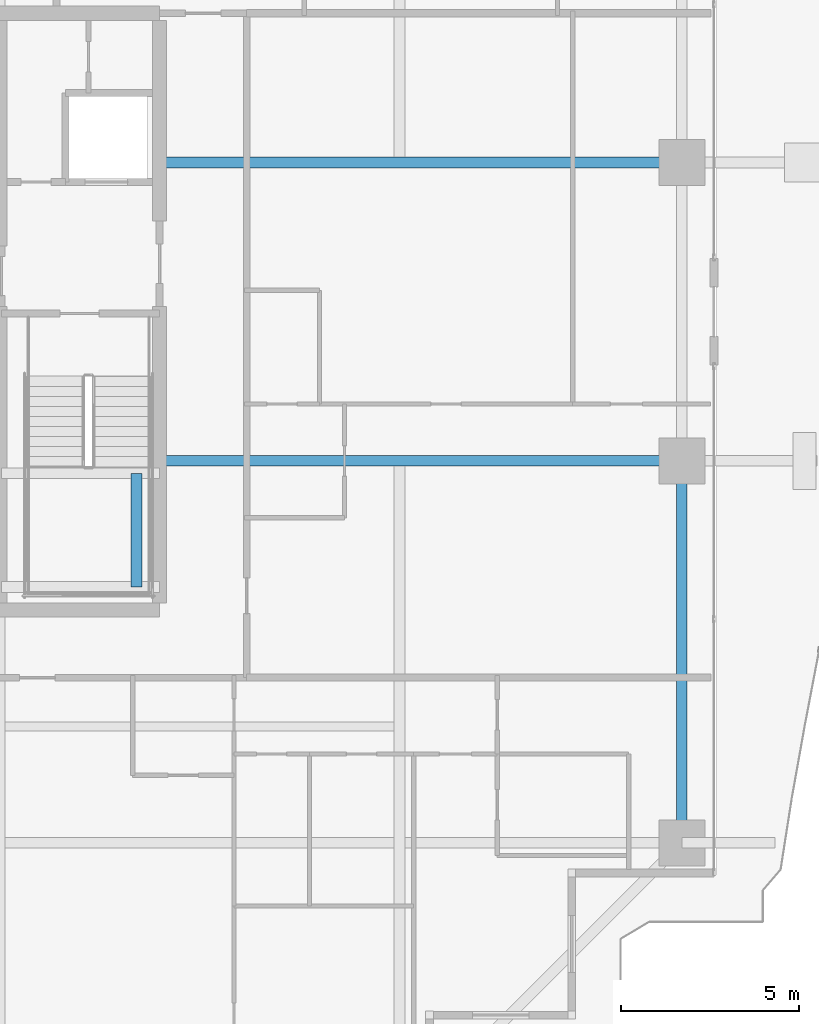
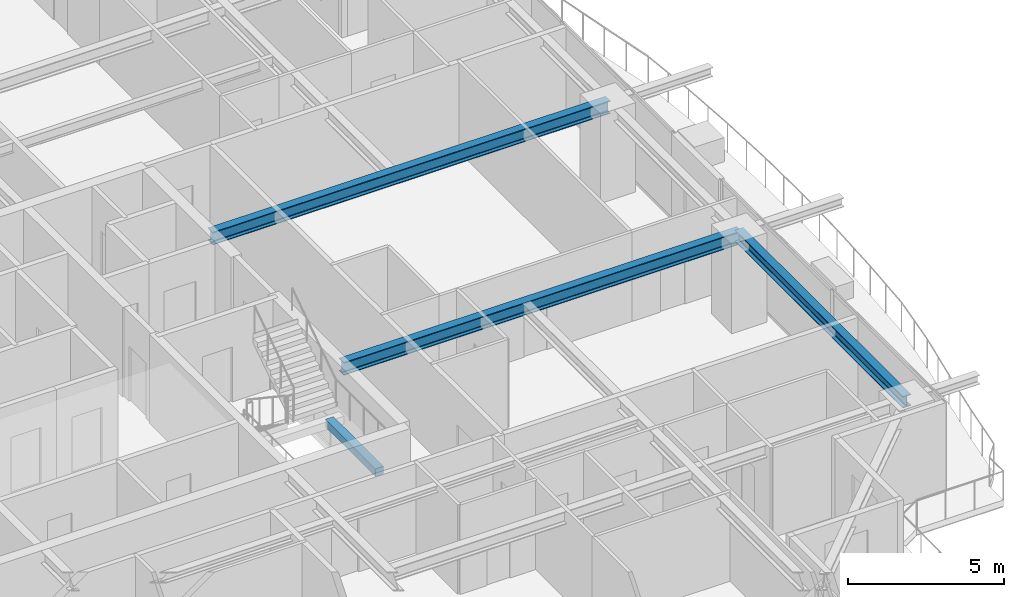
# One storey, part 14 of 38: 4 beams.
"""IFC4 building model written with IfcOpenShell, lengths in metres."""

from ifc_helpers import new_model, si_unit, direction, frame, origin, origin_2d, place, context, subcontext, project, spatial, rectangle, i_section, extrude, source, transform, mapped, material, material_profile, profile_set, type_object, element, save


model = new_model("IFC4")

# Units and contexts
model_context = context("Model", 3, precision=1e-05, world=origin(), true_north=direction((0.0, 1.0)))
body_context = subcontext(model_context, "Body", "Model", "MODEL_VIEW")
ifc_project = project(units=[si_unit("LENGTHUNIT", "METRE"), si_unit("AREAUNIT", "SQUARE_METRE"), si_unit("VOLUMEUNIT", "CUBIC_METRE"), si_unit("PLANEANGLEUNIT", "RADIAN"), si_unit("MASSUNIT", "GRAM", prefix="KILO")], contexts=[model_context])

# Site, building, storey
site_placement = place(None, origin())
site = spatial("IfcSite", under=ifc_project, at=site_placement, CompositionType="ELEMENT")
building_placement = place(site_placement, origin())
building = spatial("IfcBuilding", under=site, at=building_placement, Name="Serunith Strait Residences", CompositionType="ELEMENT")
storey_placement = place(building_placement, frame((0.0, 0.0, 176.39990234375)))
storey = spatial("IfcBuildingStorey", under=building, at=storey_placement, Name="L44", CompositionType="ELEMENT", Elevation=176.39990234375)

# Beams
ifc_material_1 = material(Name="Steel S355J2", Category="steel")
ifc_material_profile_1 = material_profile(ifc_material_1, i_section(OverallWidth=0.300048828125, OverallDepth=0.5, WebThickness=0.014404296875, FlangeThickness=0.028076171875, FilletRadius=0.027099609375, at=origin_2d()), Name="HEB 500")
ifc_profile_set_1 = profile_set([ifc_material_profile_1], Name="Steel S355J2")
beam_type_1 = type_object("IfcBeamType", Name="BM-HEB500", PredefinedType="BEAM", material=ifc_profile_set_1)
shared_shape_1 = source(origin(), body_context, "Body", "SweptSolid", [
    extrude(i_section(OverallWidth=0.300048828125, OverallDepth=0.5, WebThickness=0.014404296875, FlangeThickness=0.028076171875, FilletRadius=0.027099609375, at=origin_2d()), origin(), (0.0, 0.0, 1.0), 14.7001953125),
])
for number, where, z_axis, x_axis, name in (
    (1, (41.39990234375, 21.0, 3.237060546875), (1.0, 0.0, 0.0), (0.0, 1.0, 0.0), "L44 Primary Floor Girder TC-E2"),
    (2, (41.39990234375, 29.39990234375, 3.237060546875), (1.0, 0.0, 0.0), (0.0, 1.0, 0.0), "L44 Primary Floor Girder TC-E3"),
):
    element("IfcBeam", number, at=place(storey_placement, frame(where, z_axis=z_axis, x_axis=x_axis)), inside=storey, type_object=beam_type_1, Name=name, PredefinedType="BEAM", context=body_context, shape_type="MappedRepresentation", body=[
        mapped(shared_shape_1, transform((0.0, 0.0, 0.0), scale=1.0)),
    ])
ifc_material_profile_2 = material_profile(ifc_material_1, i_section(OverallWidth=0.300048828125, OverallDepth=0.449951171875, WebThickness=0.013916015625, FlangeThickness=0.02587890625, FilletRadius=0.027099609375, at=origin_2d()), Name="HEB 450")
ifc_profile_set_2 = profile_set([ifc_material_profile_2], Name="Steel S355J2")
beam_type_2 = type_object("IfcBeamType", Name="BM-HEB450", PredefinedType="BEAM", material=ifc_profile_set_2)
shared_shape_2 = source(origin(), body_context, "Body", "SweptSolid", [
    extrude(i_section(OverallWidth=0.300048828125, OverallDepth=0.449951171875, WebThickness=0.013916015625, FlangeThickness=0.02587890625, FilletRadius=0.027099609375, at=origin_2d()), origin(), (0.0, 0.0, 1.0), 10.75),
])
beam_1_placement = place(storey_placement, frame((56.10009765625, 10.25, 3.26220703125), z_axis=(0.0, 1.0, 0.0), x_axis=(-1.0, 0.0, 0.0)))
element("IfcBeam", 3, at=beam_1_placement, inside=storey, type_object=beam_type_2, Name="L44 Perimeter Ring Beam 05", PredefinedType="BEAM", context=body_context, shape_type="MappedRepresentation", body=[
    mapped(shared_shape_2, transform((0.0, 0.0, 0.0), scale=1.0)),
])
ifc_material_2 = material(Name="Concrete C60/75", Category="concrete")
ifc_material_profile_3 = material_profile(ifc_material_2, rectangle(XDim=0.300048828125, YDim=0.300048828125, at=origin_2d()), Name="RC 300x300")
ifc_profile_set_3 = profile_set([ifc_material_profile_3], Name="Concrete C60/75")
beam_type_3 = type_object("IfcBeamType", Name="BM-LAND-300x300", PredefinedType="BEAM", material=ifc_profile_set_3)
shared_shape_3 = source(origin(), body_context, "Body", "SweptSolid", [
    extrude(rectangle(XDim=0.300048828125, YDim=0.300048828125, at=origin_2d()), origin(), (0.0, 0.0, 1.0), 3.199951171875),
])
beam_2_placement = place(storey_placement, frame((40.75, 17.449951171875, 1.525146484375), z_axis=(0.0, 1.0, 0.0), x_axis=(-1.0, 0.0, 0.0)))
element("IfcBeam", 4, at=beam_2_placement, inside=storey, type_object=beam_type_3, Name="L44 ST-2 Landing Transverse Tie Beam", PredefinedType="BEAM", context=body_context, shape_type="MappedRepresentation", body=[
    mapped(shared_shape_3, transform((0.0, 0.0, 0.0), scale=1.0)),
])

save(model, "model.ifc")
